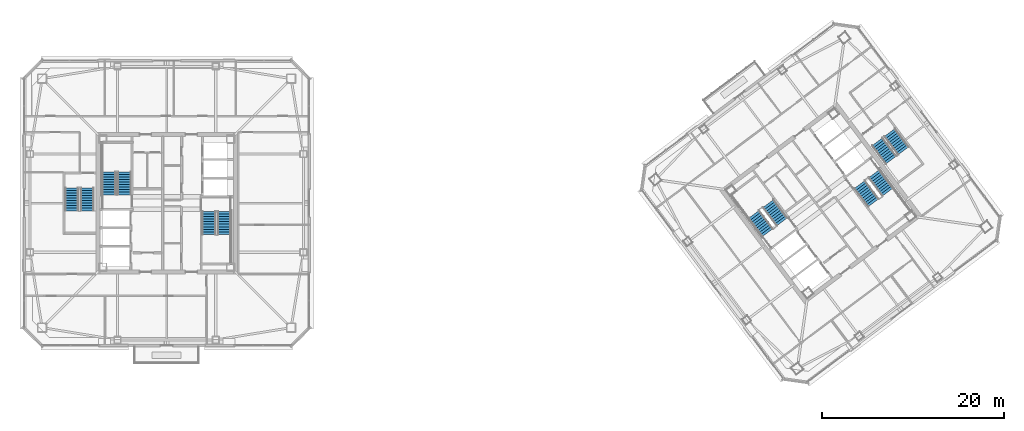
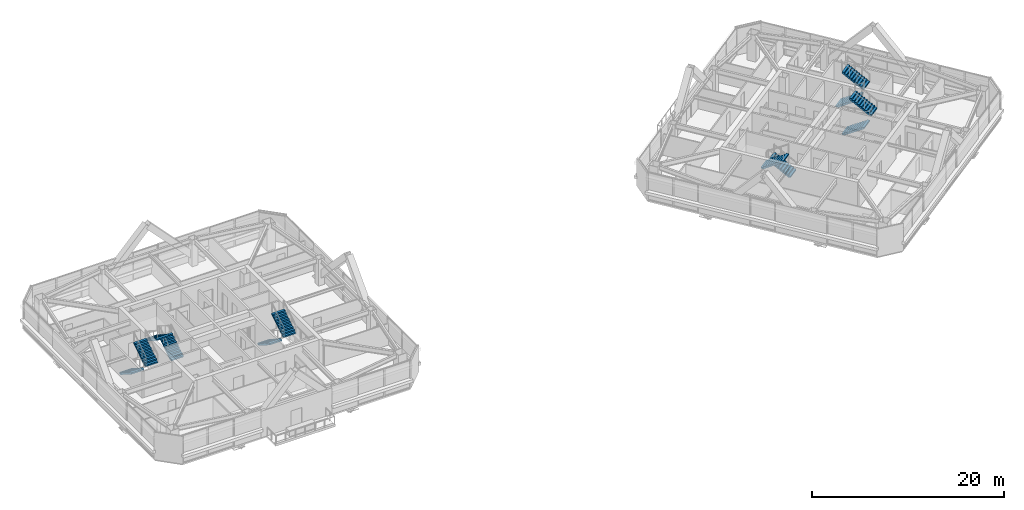
# One storey, part 34 of 39: 12 stair flights, 6 elements without a shape of their own.
"""IFC4 building model written with IfcOpenShell, lengths in metres."""

from ifc_helpers import new_model, si_unit, direction, frame, origin, place, context, subcontext, project, spatial, polyline, outline, extrude, material, type_object, element, aggregate, save


model = new_model("IFC4")

# Units and contexts
model_context = context("Model", 3, precision=1e-05, world=origin(), true_north=direction((0.0, 1.0)))
body_context = subcontext(model_context, "Body", "Model", "MODEL_VIEW")
ifc_project = project(units=[si_unit("LENGTHUNIT", "METRE"), si_unit("AREAUNIT", "SQUARE_METRE"), si_unit("VOLUMEUNIT", "CUBIC_METRE"), si_unit("PLANEANGLEUNIT", "RADIAN"), si_unit("MASSUNIT", "GRAM", prefix="KILO")], contexts=[model_context])

# Site, building, storey
site_placement = place(None, origin())
site = spatial("IfcSite", under=ifc_project, at=site_placement, CompositionType="ELEMENT")
building_placement = place(site_placement, origin())
building = spatial("IfcBuilding", under=site, at=building_placement, Name="Tashvorn Skyway Center", CompositionType="ELEMENT")
storey_placement = place(building_placement, frame((0.0, 0.0, 239.699951171875)))
storey = spatial("IfcBuildingStorey", under=building, at=storey_placement, Name="L65", CompositionType="ELEMENT", Elevation=239.699951171875)

# Stair, stair flights
ifc_material = material(Name="Concrete C40/50", Category="concrete")
stair_type = type_object("IfcStairType", Name="STAIR-CORE-1500", PredefinedType="HALF_TURN_STAIR", material=ifc_material)
stair_1_placement = place(storey_placement, origin())
stair_1 = element("IfcStair", 1, at=stair_1_placement, inside=storey, type_object=stair_type, Name="L65 Tower 1 Exit Stair 1", PredefinedType="HALF_TURN_STAIR")
stair_flight_type = type_object("IfcStairFlightType", Name="SFLIGHT-1500", PredefinedType="STRAIGHT", material=ifc_material)
stair_flight_1_placement = place(storey_placement, frame((37.35009765625, 32.919921875, 0.0), z_axis=(0.0, 0.0, 1.0), x_axis=(0.0, 1.0, 0.0)))
stair_flight_1 = element("IfcStairFlight", 2, at=stair_flight_1_placement, type_object=stair_flight_type, Name="ST-T1-1 flight 1", NumberOfRisers=10, NumberOfTreads=9, PredefinedType="STRAIGHT", RiserHeight=0.1775, TreadLength=0.28, context=body_context, shape_type="SweptSolid", body=[
    extrude(outline(polyline([(0.0, 0.0), (0.0, 0.177490234375), (0.280029296875, 0.177490234375), (0.280029296875, 0.35498046875), (0.56005859375, 0.35498046875), (0.56005859375, 0.532470703125), (0.840087890625, 0.532470703125), (0.840087890625, 0.7099609375), (1.1201171875, 0.7099609375), (1.1201171875, 0.887451171875), (1.39990234375, 0.887451171875), (1.39990234375, 1.06494140625), (1.679931640625, 1.06494140625), (1.679931640625, 1.242431640625), (1.9599609375, 1.242431640625), (1.9599609375, 1.419921875), (2.239990234375, 1.419921875), (2.239990234375, 1.597412109375), (2.52001953125, 1.597412109375), (2.52001953125, 1.77490234375), (2.52001953125, 1.419921875), (0.280029296875, 0.0), (0.0, 0.0)])), frame((0.0, 0.75, 0.0), z_axis=(0.0, -1.0, 0.0), x_axis=(1.0, 0.0, 0.0)), (0.0, 0.0, 1.0), 1.5),
])
stair_flight_2_placement = place(storey_placement, frame((35.64990234375, 35.43994140625, 1.775146484375), z_axis=(0.0, 0.0, 1.0), x_axis=(0.0, -1.0, 0.0)))
stair_flight_2 = element("IfcStairFlight", 3, at=stair_flight_2_placement, type_object=stair_flight_type, Name="ST-T1-1 flight 2", NumberOfRisers=10, NumberOfTreads=9, PredefinedType="STRAIGHT", RiserHeight=0.1775, TreadLength=0.28, context=body_context, shape_type="SweptSolid", body=[
    extrude(outline(polyline([(0.0, 0.0), (0.0, 0.177490234375), (0.280029296875, 0.177490234375), (0.280029296875, 0.35498046875), (0.56005859375, 0.35498046875), (0.56005859375, 0.532470703125), (0.840087890625, 0.532470703125), (0.840087890625, 0.7099609375), (1.1201171875, 0.7099609375), (1.1201171875, 0.887451171875), (1.39990234375, 0.887451171875), (1.39990234375, 1.06494140625), (1.679931640625, 1.06494140625), (1.679931640625, 1.242431640625), (1.9599609375, 1.242431640625), (1.9599609375, 1.419921875), (2.239990234375, 1.419921875), (2.239990234375, 1.597412109375), (2.52001953125, 1.597412109375), (2.52001953125, 1.77490234375), (2.52001953125, 1.419921875), (0.280029296875, 0.0), (0.0, 0.0)])), frame((0.0, 0.75, 0.0), z_axis=(0.0, -1.0, 0.0), x_axis=(1.0, 0.0, 0.0)), (0.0, 0.0, 1.0), 1.5),
])
aggregate(stair_1, [stair_flight_1, stair_flight_2])

stair_2_placement = place(storey_placement, origin())
stair_2 = element("IfcStair", 4, at=stair_2_placement, inside=storey, type_object=stair_type, Name="L65 Tower 1 Exit Stair 2", PredefinedType="HALF_TURN_STAIR")
stair_flight_3_placement = place(storey_placement, frame((46.64990234375, 31.080078125, 0.0), z_axis=(0.0, 0.0, 1.0), x_axis=(0.0, -1.0, 0.0)))
stair_flight_3 = element("IfcStairFlight", 5, at=stair_flight_3_placement, type_object=stair_flight_type, Name="ST-T1-2 flight 1", NumberOfRisers=10, NumberOfTreads=9, PredefinedType="STRAIGHT", RiserHeight=0.1775, TreadLength=0.28, context=body_context, shape_type="SweptSolid", body=[
    extrude(outline(polyline([(0.0, 0.0), (0.0, 0.177490234375), (0.280029296875, 0.177490234375), (0.280029296875, 0.35498046875), (0.56005859375, 0.35498046875), (0.56005859375, 0.532470703125), (0.840087890625, 0.532470703125), (0.840087890625, 0.7099609375), (1.1201171875, 0.7099609375), (1.1201171875, 0.887451171875), (1.39990234375, 0.887451171875), (1.39990234375, 1.06494140625), (1.679931640625, 1.06494140625), (1.679931640625, 1.242431640625), (1.9599609375, 1.242431640625), (1.9599609375, 1.419921875), (2.239990234375, 1.419921875), (2.239990234375, 1.597412109375), (2.52001953125, 1.597412109375), (2.52001953125, 1.77490234375), (2.52001953125, 1.419921875), (0.280029296875, 0.0), (0.0, 0.0)])), frame((0.0, 0.75, 0.0), z_axis=(0.0, -1.0, 0.0), x_axis=(1.0, 0.0, 0.0)), (0.0, 0.0, 1.0), 1.5),
])
stair_flight_4_placement = place(storey_placement, frame((48.35009765625, 28.56005859375, 1.775146484375), z_axis=(0.0, 0.0, 1.0), x_axis=(0.0, 1.0, 0.0)))
stair_flight_4 = element("IfcStairFlight", 6, at=stair_flight_4_placement, type_object=stair_flight_type, Name="ST-T1-2 flight 2", NumberOfRisers=10, NumberOfTreads=9, PredefinedType="STRAIGHT", RiserHeight=0.1775, TreadLength=0.28, context=body_context, shape_type="SweptSolid", body=[
    extrude(outline(polyline([(0.0, 0.0), (0.0, 0.177490234375), (0.280029296875, 0.177490234375), (0.280029296875, 0.35498046875), (0.56005859375, 0.35498046875), (0.56005859375, 0.532470703125), (0.840087890625, 0.532470703125), (0.840087890625, 0.7099609375), (1.1201171875, 0.7099609375), (1.1201171875, 0.887451171875), (1.39990234375, 0.887451171875), (1.39990234375, 1.06494140625), (1.679931640625, 1.06494140625), (1.679931640625, 1.242431640625), (1.9599609375, 1.242431640625), (1.9599609375, 1.419921875), (2.239990234375, 1.419921875), (2.239990234375, 1.597412109375), (2.52001953125, 1.597412109375), (2.52001953125, 1.77490234375), (2.52001953125, 1.419921875), (0.280029296875, 0.0), (0.0, 0.0)])), frame((0.0, 0.75, 0.0), z_axis=(0.0, -1.0, 0.0), x_axis=(1.0, 0.0, 0.0)), (0.0, 0.0, 1.0), 1.5),
])
aggregate(stair_2, [stair_flight_3, stair_flight_4])

stair_3_placement = place(storey_placement, origin())
stair_3 = element("IfcStair", 7, at=stair_3_placement, inside=storey, type_object=stair_type, Name="L65 Tower 2 Exit Stair 1", PredefinedType="HALF_TURN_STAIR")
stair_flight_5_placement = place(storey_placement, frame((109.72802734375, 29.946044921875, 0.0), z_axis=(0.0, 0.0, 1.0), x_axis=(-0.600000004945, 0.799999996291, 0.0)))
stair_flight_5 = element("IfcStairFlight", 8, at=stair_flight_5_placement, type_object=stair_flight_type, Name="ST-T2-1 flight 1", NumberOfRisers=10, NumberOfTreads=9, PredefinedType="STRAIGHT", RiserHeight=0.1775, TreadLength=0.28, context=body_context, shape_type="SweptSolid", body=[
    extrude(outline(polyline([(0.0, 0.0), (0.0, 0.177490234375), (0.280029296875, 0.177490234375), (0.280029296875, 0.35498046875), (0.56005859375, 0.35498046875), (0.56005859375, 0.532470703125), (0.840087890625, 0.532470703125), (0.840087890625, 0.7099609375), (1.1201171875, 0.7099609375), (1.1201171875, 0.887451171875), (1.39990234375, 0.887451171875), (1.39990234375, 1.06494140625), (1.679931640625, 1.06494140625), (1.679931640625, 1.242431640625), (1.9599609375, 1.242431640625), (1.9599609375, 1.419921875), (2.239990234375, 1.419921875), (2.239990234375, 1.597412109375), (2.52001953125, 1.597412109375), (2.52001953125, 1.77490234375), (2.52001953125, 1.419921875), (0.280029296875, 0.0), (0.0, 0.0)])), frame((0.0, 0.75, 0.0), z_axis=(0.0, -1.0, 0.0), x_axis=(1.0, 0.0, 0.0)), (0.0, 0.0, 1.0), 1.5),
])
stair_flight_6_placement = place(storey_placement, frame((106.632080078125, 30.77392578125, 1.775146484375), z_axis=(0.0, 0.0, 1.0), x_axis=(0.600000004945, -0.799999996291, 0.0)))
stair_flight_6 = element("IfcStairFlight", 9, at=stair_flight_6_placement, type_object=stair_flight_type, Name="ST-T2-1 flight 2", NumberOfRisers=10, NumberOfTreads=9, PredefinedType="STRAIGHT", RiserHeight=0.1775, TreadLength=0.28, context=body_context, shape_type="SweptSolid", body=[
    extrude(outline(polyline([(0.0, 0.0), (0.0, 0.177490234375), (0.280029296875, 0.177490234375), (0.280029296875, 0.35498046875), (0.56005859375, 0.35498046875), (0.56005859375, 0.532470703125), (0.840087890625, 0.532470703125), (0.840087890625, 0.7099609375), (1.1201171875, 0.7099609375), (1.1201171875, 0.887451171875), (1.39990234375, 0.887451171875), (1.39990234375, 1.06494140625), (1.679931640625, 1.06494140625), (1.679931640625, 1.242431640625), (1.9599609375, 1.242431640625), (1.9599609375, 1.419921875), (2.239990234375, 1.419921875), (2.239990234375, 1.597412109375), (2.52001953125, 1.597412109375), (2.52001953125, 1.77490234375), (2.52001953125, 1.419921875), (0.280029296875, 0.0), (0.0, 0.0)])), frame((0.0, 0.75, 0.0), z_axis=(0.0, -1.0, 0.0), x_axis=(1.0, 0.0, 0.0)), (0.0, 0.0, 1.0), 1.5),
])
aggregate(stair_3, [stair_flight_5, stair_flight_6])

stair_4_placement = place(storey_placement, origin())
stair_4 = element("IfcStair", 10, at=stair_4_placement, inside=storey, type_object=stair_type, Name="L65 Tower 2 Exit Stair 2", PredefinedType="HALF_TURN_STAIR")
stair_flight_7_placement = place(storey_placement, frame((118.27197265625, 34.053955078125, 0.0), z_axis=(0.0, 0.0, 1.0), x_axis=(0.600000004945, -0.799999996291, 0.0)))
stair_flight_7 = element("IfcStairFlight", 11, at=stair_flight_7_placement, type_object=stair_flight_type, Name="ST-T2-2 flight 1", NumberOfRisers=10, NumberOfTreads=9, PredefinedType="STRAIGHT", RiserHeight=0.1775, TreadLength=0.28, context=body_context, shape_type="SweptSolid", body=[
    extrude(outline(polyline([(0.0, 0.0), (0.0, 0.177490234375), (0.280029296875, 0.177490234375), (0.280029296875, 0.35498046875), (0.56005859375, 0.35498046875), (0.56005859375, 0.532470703125), (0.840087890625, 0.532470703125), (0.840087890625, 0.7099609375), (1.1201171875, 0.7099609375), (1.1201171875, 0.887451171875), (1.39990234375, 0.887451171875), (1.39990234375, 1.06494140625), (1.679931640625, 1.06494140625), (1.679931640625, 1.242431640625), (1.9599609375, 1.242431640625), (1.9599609375, 1.419921875), (2.239990234375, 1.419921875), (2.239990234375, 1.597412109375), (2.52001953125, 1.597412109375), (2.52001953125, 1.77490234375), (2.52001953125, 1.419921875), (0.280029296875, 0.0), (0.0, 0.0)])), frame((0.0, 0.75, 0.0), z_axis=(0.0, -1.0, 0.0), x_axis=(1.0, 0.0, 0.0)), (0.0, 0.0, 1.0), 1.5),
])
stair_flight_8_placement = place(storey_placement, frame((121.367919921875, 33.22607421875, 1.775146484375), z_axis=(0.0, 0.0, 1.0), x_axis=(-0.600000004945, 0.799999996291, 0.0)))
stair_flight_8 = element("IfcStairFlight", 12, at=stair_flight_8_placement, type_object=stair_flight_type, Name="ST-T2-2 flight 2", NumberOfRisers=10, NumberOfTreads=9, PredefinedType="STRAIGHT", RiserHeight=0.1775, TreadLength=0.28, context=body_context, shape_type="SweptSolid", body=[
    extrude(outline(polyline([(0.0, 0.0), (0.0, 0.177490234375), (0.280029296875, 0.177490234375), (0.280029296875, 0.35498046875), (0.56005859375, 0.35498046875), (0.56005859375, 0.532470703125), (0.840087890625, 0.532470703125), (0.840087890625, 0.7099609375), (1.1201171875, 0.7099609375), (1.1201171875, 0.887451171875), (1.39990234375, 0.887451171875), (1.39990234375, 1.06494140625), (1.679931640625, 1.06494140625), (1.679931640625, 1.242431640625), (1.9599609375, 1.242431640625), (1.9599609375, 1.419921875), (2.239990234375, 1.419921875), (2.239990234375, 1.597412109375), (2.52001953125, 1.597412109375), (2.52001953125, 1.77490234375), (2.52001953125, 1.419921875), (0.280029296875, 0.0), (0.0, 0.0)])), frame((0.0, 0.75, 0.0), z_axis=(0.0, -1.0, 0.0), x_axis=(1.0, 0.0, 0.0)), (0.0, 0.0, 1.0), 1.5),
])
aggregate(stair_4, [stair_flight_7, stair_flight_8])

stair_5_placement = place(storey_placement, origin())
stair_5 = element("IfcStair", 13, at=stair_5_placement, inside=storey, type_object=stair_type, Name="L65 Tower 1 Exit Stair 3", PredefinedType="HALF_TURN_STAIR")
stair_flight_9_placement = place(storey_placement, frame((31.550048828125, 33.679931640625, 0.0), z_axis=(0.0, 0.0, 1.0), x_axis=(0.0, -1.0, 0.0)))
stair_flight_9 = element("IfcStairFlight", 14, at=stair_flight_9_placement, type_object=stair_flight_type, Name="ST-T1-3 flight 1", NumberOfRisers=10, NumberOfTreads=9, PredefinedType="STRAIGHT", RiserHeight=0.1775, TreadLength=0.28, context=body_context, shape_type="SweptSolid", body=[
    extrude(outline(polyline([(0.0, 0.0), (0.0, 0.177490234375), (0.280029296875, 0.177490234375), (0.280029296875, 0.35498046875), (0.56005859375, 0.35498046875), (0.56005859375, 0.532470703125), (0.840087890625, 0.532470703125), (0.840087890625, 0.7099609375), (1.1201171875, 0.7099609375), (1.1201171875, 0.887451171875), (1.39990234375, 0.887451171875), (1.39990234375, 1.06494140625), (1.679931640625, 1.06494140625), (1.679931640625, 1.242431640625), (1.9599609375, 1.242431640625), (1.9599609375, 1.419921875), (2.239990234375, 1.419921875), (2.239990234375, 1.597412109375), (2.52001953125, 1.597412109375), (2.52001953125, 1.77490234375), (2.52001953125, 1.419921875), (0.280029296875, 0.0), (0.0, 0.0)])), frame((0.0, 0.75, 0.0), z_axis=(0.0, -1.0, 0.0), x_axis=(1.0, 0.0, 0.0)), (0.0, 0.0, 1.0), 1.5),
])
stair_flight_10_placement = place(storey_placement, frame((33.25, 31.159912109375, 1.775146484375), z_axis=(0.0, 0.0, 1.0), x_axis=(0.0, 1.0, 0.0)))
stair_flight_10 = element("IfcStairFlight", 15, at=stair_flight_10_placement, type_object=stair_flight_type, Name="ST-T1-3 flight 2", NumberOfRisers=10, NumberOfTreads=9, PredefinedType="STRAIGHT", RiserHeight=0.1775, TreadLength=0.28, context=body_context, shape_type="SweptSolid", body=[
    extrude(outline(polyline([(0.0, 0.0), (0.0, 0.177490234375), (0.280029296875, 0.177490234375), (0.280029296875, 0.35498046875), (0.56005859375, 0.35498046875), (0.56005859375, 0.532470703125), (0.840087890625, 0.532470703125), (0.840087890625, 0.7099609375), (1.1201171875, 0.7099609375), (1.1201171875, 0.887451171875), (1.39990234375, 0.887451171875), (1.39990234375, 1.06494140625), (1.679931640625, 1.06494140625), (1.679931640625, 1.242431640625), (1.9599609375, 1.242431640625), (1.9599609375, 1.419921875), (2.239990234375, 1.419921875), (2.239990234375, 1.597412109375), (2.52001953125, 1.597412109375), (2.52001953125, 1.77490234375), (2.52001953125, 1.419921875), (0.280029296875, 0.0), (0.0, 0.0)])), frame((0.0, 0.75, 0.0), z_axis=(0.0, -1.0, 0.0), x_axis=(1.0, 0.0, 0.0)), (0.0, 0.0, 1.0), 1.5),
])
aggregate(stair_5, [stair_flight_9, stair_flight_10])

stair_6_placement = place(storey_placement, origin())
stair_6 = element("IfcStair", 16, at=stair_6_placement, inside=storey, type_object=stair_type, Name="L65 Tower 2 Exit Stair 3", PredefinedType="HALF_TURN_STAIR")
stair_flight_11_placement = place(storey_placement, frame((120.216064453125, 38.761962890625, 0.0), z_axis=(0.0, 0.0, 1.0), x_axis=(0.600000004945, -0.799999996291, 0.0)))
stair_flight_11 = element("IfcStairFlight", 17, at=stair_flight_11_placement, type_object=stair_flight_type, Name="ST-T2-3 flight 1", NumberOfRisers=10, NumberOfTreads=9, PredefinedType="STRAIGHT", RiserHeight=0.1775, TreadLength=0.28, context=body_context, shape_type="SweptSolid", body=[
    extrude(outline(polyline([(0.0, 0.0), (0.0, 0.177490234375), (0.280029296875, 0.177490234375), (0.280029296875, 0.35498046875), (0.56005859375, 0.35498046875), (0.56005859375, 0.532470703125), (0.840087890625, 0.532470703125), (0.840087890625, 0.7099609375), (1.1201171875, 0.7099609375), (1.1201171875, 0.887451171875), (1.39990234375, 0.887451171875), (1.39990234375, 1.06494140625), (1.679931640625, 1.06494140625), (1.679931640625, 1.242431640625), (1.9599609375, 1.242431640625), (1.9599609375, 1.419921875), (2.239990234375, 1.419921875), (2.239990234375, 1.597412109375), (2.52001953125, 1.597412109375), (2.52001953125, 1.77490234375), (2.52001953125, 1.419921875), (0.280029296875, 0.0), (0.0, 0.0)])), frame((0.0, 0.75, 0.0), z_axis=(0.0, -1.0, 0.0), x_axis=(1.0, 0.0, 0.0)), (0.0, 0.0, 1.0), 1.5),
])
stair_flight_12_placement = place(storey_placement, frame((123.087890625, 37.76611328125, 1.775146484375), z_axis=(0.0, 0.0, 1.0), x_axis=(-0.600000004945, 0.799999996291, 0.0)))
stair_flight_12 = element("IfcStairFlight", 18, at=stair_flight_12_placement, type_object=stair_flight_type, Name="ST-T2-3 flight 2", NumberOfRisers=10, NumberOfTreads=9, PredefinedType="STRAIGHT", RiserHeight=0.1775, TreadLength=0.28, context=body_context, shape_type="SweptSolid", body=[
    extrude(outline(polyline([(0.0, 0.0), (0.0, 0.177490234375), (0.280029296875, 0.177490234375), (0.280029296875, 0.35498046875), (0.56005859375, 0.35498046875), (0.56005859375, 0.532470703125), (0.840087890625, 0.532470703125), (0.840087890625, 0.7099609375), (1.1201171875, 0.7099609375), (1.1201171875, 0.887451171875), (1.39990234375, 0.887451171875), (1.39990234375, 1.06494140625), (1.679931640625, 1.06494140625), (1.679931640625, 1.242431640625), (1.9599609375, 1.242431640625), (1.9599609375, 1.419921875), (2.239990234375, 1.419921875), (2.239990234375, 1.597412109375), (2.52001953125, 1.597412109375), (2.52001953125, 1.77490234375), (2.52001953125, 1.419921875), (0.280029296875, 0.0), (0.0, 0.0)])), frame((0.0, 0.75, 0.0), z_axis=(0.0, -1.0, 0.0), x_axis=(1.0, 0.0, 0.0)), (0.0, 0.0, 1.0), 1.5),
])
aggregate(stair_6, [stair_flight_11, stair_flight_12])

save(model, "model.ifc")
